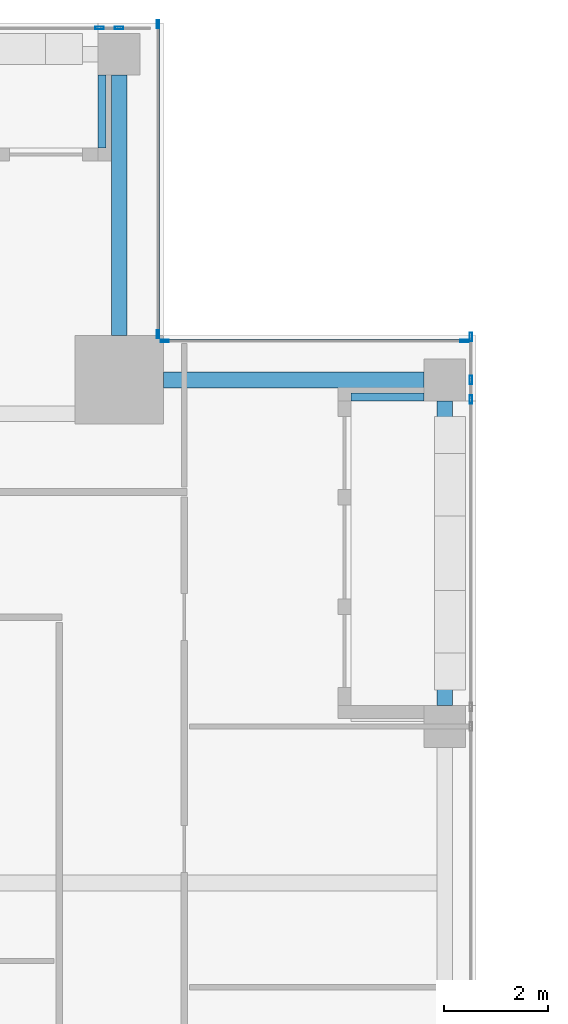
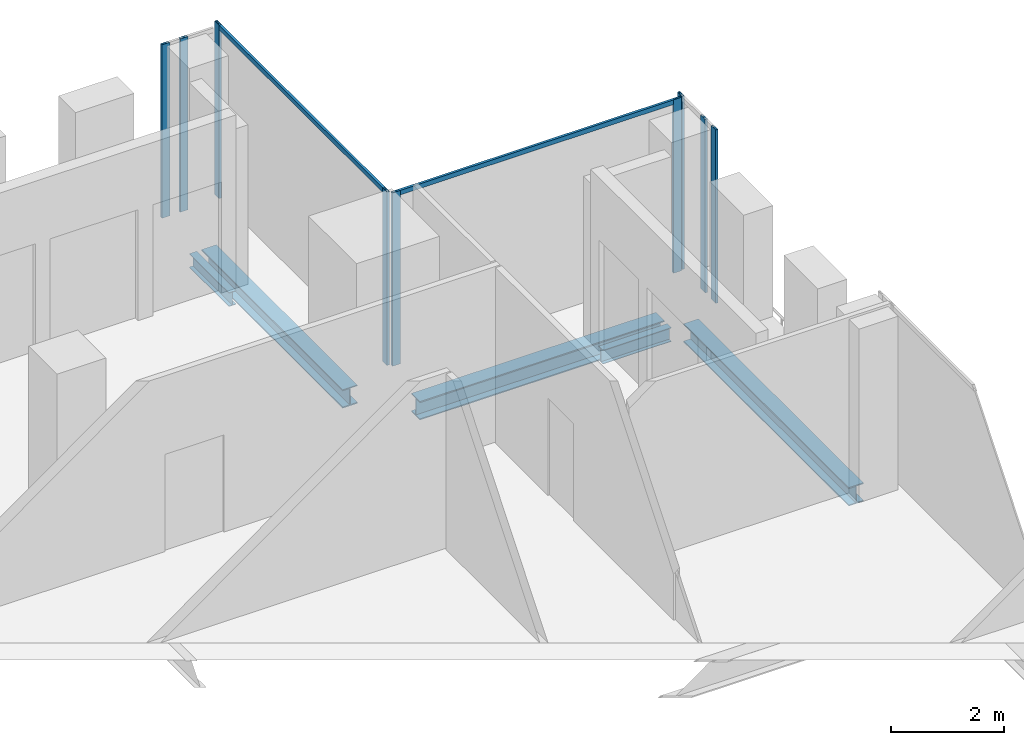
# One storey, part 16 of 28: 11 members, 5 beams, 4 elements without a shape of their own.
"""IFC4 building model written with IfcOpenShell, lengths in metres."""

from ifc_helpers import new_model, si_unit, direction, frame, origin, origin_2d, place, context, subcontext, project, spatial, hollow_rectangle, i_section, extrude, source, transform, mapped, material, material_profile, profile_set, type_object, element, aggregate, save


model = new_model("IFC4")

# Units and contexts
model_context = context("Model", 3, precision=1e-05, world=origin(), true_north=direction((0.0, 1.0)))
body_context = subcontext(model_context, "Body", "Model", "MODEL_VIEW")
ifc_project = project(units=[si_unit("LENGTHUNIT", "METRE"), si_unit("AREAUNIT", "SQUARE_METRE"), si_unit("VOLUMEUNIT", "CUBIC_METRE"), si_unit("PLANEANGLEUNIT", "RADIAN"), si_unit("MASSUNIT", "GRAM", prefix="KILO")], contexts=[model_context])

# Site, building, storey
site_placement = place(None, origin())
site = spatial("IfcSite", under=ifc_project, at=site_placement, CompositionType="ELEMENT")
building_placement = place(site_placement, origin())
building = spatial("IfcBuilding", under=site, at=building_placement, Name="Khomas Fold Tower", CompositionType="ELEMENT")
storey_placement = place(building_placement, frame((0.0, 0.0, 302.199951171875)))
storey = spatial("IfcBuildingStorey", under=building, at=storey_placement, Name="L68", CompositionType="ELEMENT", Elevation=302.199951171875)

# Beams
ifc_material_1 = material(Name="Steel S355", Category="steel")
ifc_material_profile_1 = material_profile(ifc_material_1, i_section(OverallWidth=0.300048828125, OverallDepth=0.39990234375, WebThickness=0.013427734375, FlangeThickness=0.02392578125, at=origin_2d()), Name="HE 400 B")
ifc_profile_set_1 = profile_set([ifc_material_profile_1], Name="Steel S355")
beam_type_1 = type_object("IfcBeamType", Name="HE 400 B spandrel SB5", PredefinedType="SPANDREL", material=ifc_profile_set_1)
shared_shape_1 = source(origin(), body_context, "Body", "SweptSolid", [
    extrude(i_section(OverallWidth=0.300048828125, OverallDepth=0.39990234375, WebThickness=0.013427734375, FlangeThickness=0.02392578125, at=origin_2d()), origin(), (0.0, 0.0, 1.0), 5.85009765625),
])
beam_placement = place(storey_placement, frame((47.39990234375, 34.89990234375, -0.449951171875), z_axis=(0.0, 1.0, 0.0), x_axis=(-1.0, 0.0, 0.0)))
element("IfcBeam", 1, at=beam_placement, inside=storey, type_object=beam_type_1, Name="SB5", PredefinedType="SPANDREL", context=body_context, shape_type="MappedRepresentation", body=[
    mapped(shared_shape_1, transform((0.0, 0.0, 0.0))),
])
shared_shape_2 = source(origin(), body_context, "Body", "SweptSolid", [
    extrude(i_section(OverallWidth=0.300048828125, OverallDepth=0.39990234375, WebThickness=0.013427734375, FlangeThickness=0.02392578125, at=origin_2d()), origin(), (0.0, 0.0, 1.0), 5.0),
])
for number, where, z_axis, x_axis, name in (
    (2, (42.0, 41.14990234375, -0.449951171875), (1.0, 0.0, 0.0), (0.0, 1.0, 0.0), "SB5"),
    (3, (41.14990234375, 42.0, -0.449951171875), (0.0, 1.0, 0.0), (-1.0, 0.0, 0.0), "SB5"),
):
    element("IfcBeam", number, at=place(storey_placement, frame(where, z_axis=z_axis, x_axis=x_axis)), inside=storey, type_object=beam_type_1, Name=name, PredefinedType="SPANDREL", context=body_context, shape_type="MappedRepresentation", body=[
        mapped(shared_shape_2, transform((0.0, 0.0, 0.0))),
    ])
ifc_material_2 = material(Name="Steel S355", Category="steel")
ifc_material_profile_2 = material_profile(ifc_material_2, i_section(OverallWidth=0.14990234375, OverallDepth=0.300048828125, WebThickness=0.007080078125, FlangeThickness=0.0107421875, at=origin_2d()), Name="IPE 300")
ifc_profile_set_2 = profile_set([ifc_material_profile_2], Name="Steel S355")
beam_type_2 = type_object("IfcBeamType", Name="IPE 300 beam BB2", PredefinedType="BEAM", material=ifc_profile_set_2)
shared_shape_3 = source(origin(), body_context, "Body", "SweptSolid", [
    extrude(i_section(OverallWidth=0.14990234375, OverallDepth=0.300048828125, WebThickness=0.007080078125, FlangeThickness=0.0107421875, at=origin_2d()), origin(), (0.0, 0.0, 1.0), 1.39990234375),
])
for number, where, z_axis, x_axis, name in (
    (4, (40.824951171875, 45.60009765625, -0.39990234375), (0.0, 1.0, 0.0), (-1.0, 0.0, 0.0), "BB2"),
    (5, (45.60009765625, 40.824951171875, -0.39990234375), (1.0, 0.0, 0.0), (0.0, 1.0, 0.0), "BB2"),
):
    element("IfcBeam", number, at=place(storey_placement, frame(where, z_axis=z_axis, x_axis=x_axis)), inside=storey, type_object=beam_type_2, Name=name, PredefinedType="BEAM", context=body_context, shape_type="MappedRepresentation", body=[
        mapped(shared_shape_3, transform((0.0, 0.0, 0.0))),
    ])

# Curtain wall, members
ifc_material_3 = material(Name="Aluminium framed double glazing", Category="aluminium")
curtain_wall_type = type_object("IfcCurtainWallType", Name="SK-Unitised clear-glass wall, upper floors CW3", PredefinedType="NOTDEFINED", material=ifc_material_3)
curtain_wall_1_placement = place(storey_placement, origin())
curtain_wall_1 = element("IfcCurtainWall", 6, at=curtain_wall_1_placement, inside=storey, type_object=curtain_wall_type, Name="CW3 run L68 03-1", PredefinedType="NOTDEFINED")
ifc_material_4 = material(Name="Aluminium", Category="aluminium")
ifc_material_profile_3 = material_profile(ifc_material_4, hollow_rectangle(XDim=0.050048828125, YDim=0.159912109375, WallThickness=0.00390625, at=origin_2d()), Name="SK-Unitised clear-glass wall, upper floors mullion CW3-M")
ifc_profile_set_3 = profile_set([ifc_material_profile_3], Name="Aluminium")
member_type_1 = type_object("IfcMemberType", Name="SK-Unitised clear-glass wall, upper floors mullion CW3-M", PredefinedType="MULLION", material=ifc_profile_set_3)
shared_shape_4 = source(origin(), body_context, "Body", "SweptSolid", [
    extrude(hollow_rectangle(XDim=0.050048828125, YDim=0.159912109375, WallThickness=0.00390625, at=origin_2d()), origin(), (0.0, 0.0, 1.0), 3.75),
])
member_1_placement = place(storey_placement, frame((47.89990234375, 40.77490234375, 0.0), z_axis=(0.0, 0.0, 1.0), x_axis=(-1.0, 0.0, 0.0)))
member_1 = element("IfcMember", 7, at=member_1_placement, type_object=member_type_1, Name="CW3 mullion 1", PredefinedType="MULLION", context=body_context, shape_type="MappedRepresentation", body=[
    mapped(shared_shape_4, transform((0.0, 0.0, 0.0))),
])
member_2_placement = place(storey_placement, frame((47.89990234375, 41.14990234375, 0.0), z_axis=(0.0, 0.0, 1.0), x_axis=(-1.0, 0.0, 0.0)))
member_2 = element("IfcMember", 8, at=member_2_placement, type_object=member_type_1, Name="CW3 mullion 2", PredefinedType="MULLION", context=body_context, shape_type="MappedRepresentation", body=[
    mapped(shared_shape_4, transform((0.0, 0.0, 0.0))),
])
member_3_placement = place(storey_placement, frame((47.89990234375, 41.97509765625, 0.0), z_axis=(0.0, 0.0, 1.0), x_axis=(-1.0, 0.0, 0.0)))
member_3 = element("IfcMember", 9, at=member_3_placement, type_object=member_type_1, Name="CW3 mullion 3", PredefinedType="MULLION", context=body_context, shape_type="MappedRepresentation", body=[
    mapped(shared_shape_4, transform((0.0, 0.0, 0.0))),
])
aggregate(curtain_wall_1, [member_1, member_2, member_3])

curtain_wall_2_placement = place(storey_placement, origin())
curtain_wall_2 = element("IfcCurtainWall", 10, at=curtain_wall_2_placement, inside=storey, type_object=curtain_wall_type, Name="CW3 corner return L68 04", PredefinedType="NOTDEFINED")
member_4_placement = place(storey_placement, frame((47.77490234375, 41.89990234375, 0.0), z_axis=(0.0, 0.0, 1.0), x_axis=(0.0, -1.0, 0.0)))
member_4 = element("IfcMember", 11, at=member_4_placement, type_object=member_type_1, Name="CW3 mullion 1", PredefinedType="MULLION", context=body_context, shape_type="MappedRepresentation", body=[
    mapped(shared_shape_4, transform((0.0, 0.0, 0.0))),
])
member_5_placement = place(storey_placement, frame((42.02490234375, 41.89990234375, 0.0), z_axis=(0.0, 0.0, 1.0), x_axis=(0.0, -1.0, 0.0)))
member_5 = element("IfcMember", 12, at=member_5_placement, type_object=member_type_1, Name="CW3 mullion 2", PredefinedType="MULLION", context=body_context, shape_type="MappedRepresentation", body=[
    mapped(shared_shape_4, transform((0.0, 0.0, 0.0))),
])

curtain_wall_3_placement = place(storey_placement, origin())
curtain_wall_3 = element("IfcCurtainWall", 13, at=curtain_wall_3_placement, inside=storey, type_object=curtain_wall_type, Name="CW3 corner return L68 05", PredefinedType="NOTDEFINED")
member_6_placement = place(storey_placement, frame((41.89990234375, 42.02490234375, 0.0), z_axis=(0.0, 0.0, 1.0), x_axis=(-1.0, 0.0, 0.0)))
member_6 = element("IfcMember", 14, at=member_6_placement, type_object=member_type_1, Name="CW3 mullion 1", PredefinedType="MULLION", context=body_context, shape_type="MappedRepresentation", body=[
    mapped(shared_shape_4, transform((0.0, 0.0, 0.0))),
])
member_7_placement = place(storey_placement, frame((41.89990234375, 47.97509765625, 0.0), z_axis=(0.0, 0.0, 1.0), x_axis=(-1.0, 0.0, 0.0)))
member_7 = element("IfcMember", 15, at=member_7_placement, type_object=member_type_1, Name="CW3 mullion 2", PredefinedType="MULLION", context=body_context, shape_type="MappedRepresentation", body=[
    mapped(shared_shape_4, transform((0.0, 0.0, 0.0))),
])

curtain_wall_4_placement = place(storey_placement, origin())
curtain_wall_4 = element("IfcCurtainWall", 16, at=curtain_wall_4_placement, inside=storey, type_object=curtain_wall_type, Name="CW3 run L68 06-0", PredefinedType="NOTDEFINED")
member_8_placement = place(storey_placement, frame((41.14990234375, 47.89990234375, 0.0), z_axis=(0.0, 0.0, 1.0), x_axis=(0.0, -1.0, 0.0)))
member_8 = element("IfcMember", 17, at=member_8_placement, type_object=member_type_1, Name="CW3 mullion 2", PredefinedType="MULLION", context=body_context, shape_type="MappedRepresentation", body=[
    mapped(shared_shape_4, transform((0.0, 0.0, 0.0))),
])
member_9_placement = place(storey_placement, frame((40.77490234375, 47.89990234375, 0.0), z_axis=(0.0, 0.0, 1.0), x_axis=(0.0, -1.0, 0.0)))
member_9 = element("IfcMember", 18, at=member_9_placement, type_object=member_type_1, Name="CW3 mullion 3", PredefinedType="MULLION", context=body_context, shape_type="MappedRepresentation", body=[
    mapped(shared_shape_4, transform((0.0, 0.0, 0.0))),
])
aggregate(curtain_wall_4, [member_8, member_9])

# Member
ifc_material_5 = material(Name="Aluminium", Category="aluminium")
ifc_material_profile_4 = material_profile(ifc_material_5, hollow_rectangle(XDim=0.050048828125, YDim=0.10009765625, WallThickness=0.00390625, at=origin_2d()), Name="SK-Unitised clear-glass wall, upper floors transom CW3-T")
ifc_profile_set_4 = profile_set([ifc_material_profile_4], Name="Aluminium")
member_type_2 = type_object("IfcMemberType", Name="SK-Unitised clear-glass wall, upper floors transom CW3-T", PredefinedType="USERDEFINED", material=ifc_profile_set_4)
shared_shape_5 = source(origin(), body_context, "Body", "SweptSolid", [
    extrude(hollow_rectangle(XDim=0.050048828125, YDim=0.10009765625, WallThickness=0.00390625, at=origin_2d()), origin(), (0.0, 0.0, 1.0), 5.699951171875),
])
member_10_placement = place(storey_placement, frame((47.75, 41.89990234375, 3.699951171875), z_axis=(-1.0, 0.0, 0.0), x_axis=(0.0, -1.0, 0.0)))
member_10 = element("IfcMember", 19, at=member_10_placement, type_object=member_type_2, Name="CW3 transom 1", ObjectType="TRANSOM", PredefinedType="USERDEFINED", context=body_context, shape_type="MappedRepresentation", body=[
    mapped(shared_shape_5, transform((0.0, 0.0, 0.0))),
])

aggregate(curtain_wall_2, [member_4, member_5, member_10])

shared_shape_6 = source(origin(), body_context, "Body", "SweptSolid", [
    extrude(hollow_rectangle(XDim=0.050048828125, YDim=0.10009765625, WallThickness=0.00390625, at=origin_2d()), origin(), (0.0, 0.0, 1.0), 5.89990234375),
])
member_11_placement = place(storey_placement, frame((41.89990234375, 42.050048828125, 3.699951171875), z_axis=(0.0, 1.0, 0.0), x_axis=(-1.0, 0.0, 0.0)))
member_11 = element("IfcMember", 20, at=member_11_placement, type_object=member_type_2, Name="CW3 transom 1", ObjectType="TRANSOM", PredefinedType="USERDEFINED", context=body_context, shape_type="MappedRepresentation", body=[
    mapped(shared_shape_6, transform((0.0, 0.0, 0.0))),
])

aggregate(curtain_wall_3, [member_6, member_7, member_11])

save(model, "model.ifc")
